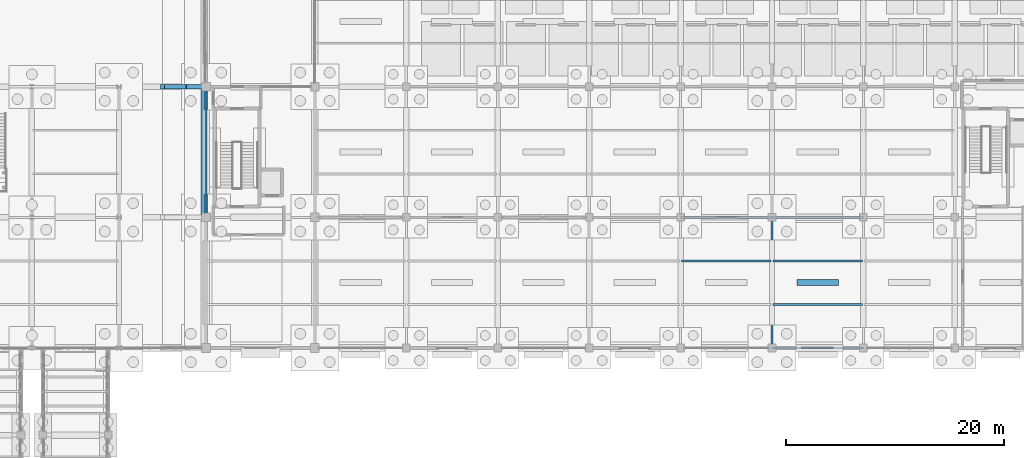
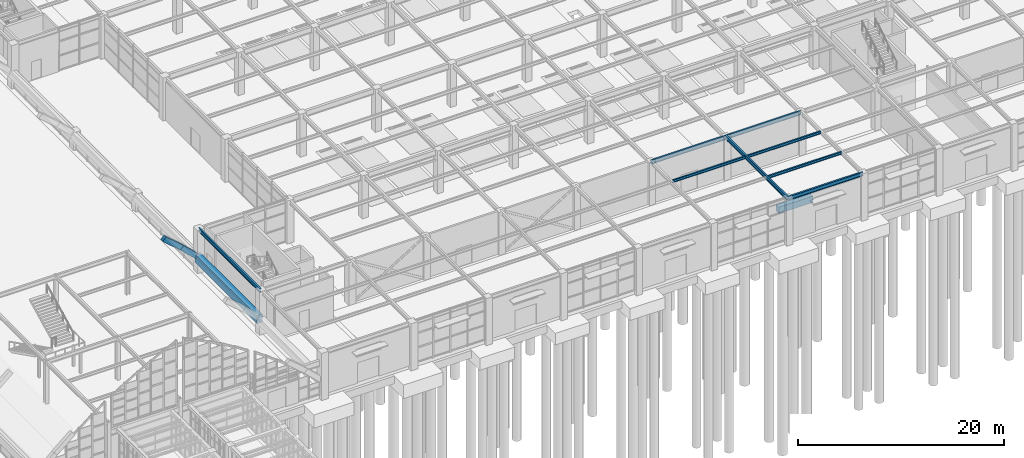
# One storey, part 48 of 129: 12 beams.
"""IFC4 building model written with IfcOpenShell, lengths in metres."""

import ifcopenshell
import ifcopenshell.guid

model = None  # the IFC model being written
_history = None  # IfcOwnerHistory: only IFC2X3 demands one
_inside = {}  # id of a spatial element -> (the spatial element, [elements in it])
_under = {}  # id of a project, library or spatial element -> (it, [spatial elements below it])
_declared = {}  # id of a project -> (the project, [libraries it declares])
_typed = {}  # id of a type object -> (the type object, [elements of that type])
_made_of = {}  # id of a material, layer set ... -> (it, [elements and type objects made of it])


def new_model(schema):
    """Start an empty IFC model of exactly this schema.

    Asked for "IFC4X3", IfcOpenShell would pick the latest addendum, in which some entities
    have other attributes; the version numbers below select the first issue.
    IFC2X3 requires an IfcOwnerHistory on every rooted entity: one is made here for all.
    """
    global model, _history
    if schema == "IFC4X3":
        model = ifcopenshell.file(schema_version=(4, 3, 0, 0))
    else:
        model = ifcopenshell.file(schema=schema)
    _inside.clear()
    _under.clear()
    _declared.clear()
    _typed.clear()
    _made_of.clear()
    _history = None
    if model.schema == "IFC2X3":
        org = make("IfcOrganization", Name="unknown")
        user = make(
            "IfcPersonAndOrganization",
            ThePerson=make("IfcPerson", FamilyName="unknown"),
            TheOrganization=org,
        )
        app = make(
            "IfcApplication",
            ApplicationDeveloper=org,
            Version="unknown",
            ApplicationFullName="unknown",
            ApplicationIdentifier="unknown",
        )
        _history = make(
            "IfcOwnerHistory",
            OwningUser=user,
            OwningApplication=app,
            ChangeAction="ADDED",
            CreationDate=0,
        )
    return model


def make(cls, **values):
    """One entity of the class cls with the attributes given. An attribute that is None is left unset."""
    return model.create_entity(
        cls, **{name: value for name, value in values.items() if value is not None}
    )


def rooted(cls, **values):
    """An entity with a GlobalId (a new one), such as an element, a storey or a relation."""
    return make(cls, GlobalId=ifcopenshell.guid.new(), OwnerHistory=_history, **values)


def si_unit(unit_type, name, prefix=None):
    """IfcSIUnit, for example si_unit("LENGTHUNIT", "METRE", prefix="MILLI")."""
    return make("IfcSIUnit", UnitType=unit_type, Prefix=prefix, Name=name)


def assignment(units):
    """IfcUnitAssignment: the units of a project."""
    return None if units is None else make("IfcUnitAssignment", Units=units)


def point(xyz):
    """IfcCartesianPoint."""
    return None if xyz is None else make("IfcCartesianPoint", Coordinates=xyz)


def direction(xyz):
    """IfcDirection."""
    return None if xyz is None else make("IfcDirection", DirectionRatios=xyz)


def frame(location, z_axis=None, x_axis=None):
    """IfcAxis2Placement3D, a coordinate frame: its origin and axes. An axis left out is left unset."""
    return make(
        "IfcAxis2Placement3D",
        Location=point(location),
        Axis=direction(z_axis),
        RefDirection=direction(x_axis),
    )


def frame_2d(location, x_axis=None):
    """IfcAxis2Placement2D, a coordinate frame in the plane: its origin and x axis."""
    return make(
        "IfcAxis2Placement2D", Location=point(location), RefDirection=direction(x_axis)
    )


def origin():
    """The frame at (0, 0, 0) with its axes left unset."""
    return frame((0.0, 0.0, 0.0))


def origin_2d():
    """The frame at (0, 0) in the plane with its x axis left unset."""
    return frame_2d((0.0, 0.0))


def place(relative_to, where):
    """IfcLocalPlacement: puts the frame where relative to a parent placement (None: the world)."""
    return make(
        "IfcLocalPlacement", PlacementRelTo=relative_to, RelativePlacement=where
    )


def context(
    kind, dimensions, precision=None, world=None, true_north=None, identifier=None
):
    """IfcGeometricRepresentationContext, for example the 3D "Model" context."""
    return make(
        "IfcGeometricRepresentationContext",
        ContextIdentifier=identifier,
        ContextType=kind,
        CoordinateSpaceDimension=dimensions,
        Precision=precision,
        WorldCoordinateSystem=world,
        TrueNorth=true_north,
    )


def subcontext(parent, identifier, kind, view, scale=None):
    """IfcGeometricRepresentationSubContext, for example "Body" below "Model"."""
    return make(
        "IfcGeometricRepresentationSubContext",
        ContextIdentifier=identifier,
        ContextType=kind,
        ParentContext=parent,
        TargetScale=scale,
        TargetView=view,
    )


def project(units=None, contexts=None):
    """IfcProject with its units and contexts."""
    return rooted(
        "IfcProject",
        Name="project",
        RepresentationContexts=contexts,
        UnitsInContext=assignment(units),
    )


def spatial(cls, under=None, at=None, **own):
    """A site, building, storey or space (cls), placed at a placement, below another one or the project."""
    s = rooted(cls, ObjectPlacement=at, **own)
    if under is not None:
        _under.setdefault(under.id(), (under, []))[1].append(s)
    return s


def profile(cls, at=None, kind="AREA", **sizes):
    """A parametric profile (cls). Its sizes go by their IFC names, for example OverallWidth=200.0."""
    return make(cls, ProfileType=kind, Position=at, **sizes)


def rectangle(**sizes):
    """IfcRectangleProfileDef."""
    return profile("IfcRectangleProfileDef", **sizes)


def i_section(**sizes):
    """IfcIShapeProfileDef."""
    return profile("IfcIShapeProfileDef", **sizes)


def extrude(swept, where, along, depth):
    """IfcExtrudedAreaSolid: the profile swept, set in the frame where, extruded along a direction by depth."""
    return make(
        "IfcExtrudedAreaSolid",
        SweptArea=swept,
        Position=where,
        ExtrudedDirection=direction(along),
        Depth=depth,
    )


def shape(context_of_items, identifier, shape_type, items):
    """IfcShapeRepresentation: the items that make up one representation, for example the "Body"."""
    return make(
        "IfcShapeRepresentation",
        ContextOfItems=context_of_items,
        RepresentationIdentifier=identifier,
        RepresentationType=shape_type,
        Items=items,
    )


def material(Name=None, Category=None):
    """IfcMaterial."""
    return make("IfcMaterial", Name=Name, Category=Category)


def material_profile(
    of_material, cross_section, Name=None, Category=None, Priority=None
):
    """IfcMaterialProfile: a cross section and its material."""
    return make(
        "IfcMaterialProfile",
        Name=Name,
        Material=of_material,
        Profile=cross_section,
        Priority=Priority,
        Category=Category,
    )


def profile_set(profiles, Name=None, composite=None):
    """IfcMaterialProfileSet."""
    return make(
        "IfcMaterialProfileSet",
        Name=Name,
        MaterialProfiles=profiles,
        CompositeProfile=composite,
    )


def made_of(thing, what):
    """Note that an element or type object is made of a material, layer set ...; save() writes the relation."""
    if what is not None:
        _made_of.setdefault(what.id(), (what, []))[1].append(thing)
    return thing


def type_object(cls, material=None, **own):
    """A type object (cls), such as IfcWallType, which elements share."""
    return made_of(rooted(cls, **own), material)


def element(
    cls,
    number,
    at=None,
    inside=None,
    cuts=None,
    type_object=None,
    material=None,
    context=None,
    identifier="Body",
    shape_type=None,
    held_by="IfcProductDefinitionShape",
    body=None,
    shapes=None,
    **own,
):
    """One element of the class cls, such as IfcWall. Its Tag is "e" and its number.

    at: its placement. inside: the storey or other place that contains it. cuts: it is an
    opening in that element (IfcRelVoidsElement). A single representation is given by context,
    identifier, shape_type and body (its items); several are given by shapes. held_by: the class
    of the entity that holds the representations. save() writes the other relations.
    """
    e = rooted(cls, Tag="e%d" % number, ObjectPlacement=at, **own)
    if body is not None:
        shapes = [shape(context, identifier, shape_type, body)]
    if shapes is not None:
        e.Representation = make(held_by, Representations=shapes)
    if inside is not None:
        _inside.setdefault(inside.id(), (inside, []))[1].append(e)
    if cuts is not None:
        rooted(
            "IfcRelVoidsElement", RelatingBuildingElement=cuts, RelatedOpeningElement=e
        )
    if type_object is not None:
        _typed.setdefault(type_object.id(), (type_object, []))[1].append(e)
    return made_of(e, material)


def aggregate(whole, parts):
    """IfcRelAggregates: a whole, such as a stair, and the parts it consists of."""
    return rooted("IfcRelAggregates", RelatingObject=whole, RelatedObjects=parts)


def save(model, path):
    """Write the relations noted so far, then the file.

    IfcRelAggregates (storeys below a building ...), IfcRelContainedInSpatialStructure (elements
    in a storey), IfcRelDefinesByType, IfcRelAssociatesMaterial and IfcRelDeclares: one each for
    every whole, place, type object, material and project.
    """
    for whole, parts in _under.values():
        aggregate(whole, parts)
    for where, things in _inside.values():
        rooted(
            "IfcRelContainedInSpatialStructure",
            RelatedElements=things,
            RelatingStructure=where,
        )
    for kind, things in _typed.values():
        rooted("IfcRelDefinesByType", RelatedObjects=things, RelatingType=kind)
    for what, things in _made_of.values():
        rooted("IfcRelAssociatesMaterial", RelatedObjects=things, RelatingMaterial=what)
    for by, libraries in _declared.values():
        rooted("IfcRelDeclares", RelatingContext=by, RelatedDefinitions=libraries)
    model.write(path)


model = new_model("IFC4")

# Units and contexts
model_context = context("Model", 3, precision=1e-05, world=origin(), true_north=direction((0.0, 1.0)))
body_context = subcontext(model_context, "Body", "Model", "MODEL_VIEW")
ifc_project = project(units=[si_unit("LENGTHUNIT", "METRE"), si_unit("AREAUNIT", "SQUARE_METRE"), si_unit("VOLUMEUNIT", "CUBIC_METRE"), si_unit("PLANEANGLEUNIT", "RADIAN"), si_unit("MASSUNIT", "GRAM", prefix="KILO")], contexts=[model_context])

# Site, building, storey
site_placement = place(None, origin())
site = spatial("IfcSite", under=ifc_project, at=site_placement, CompositionType="ELEMENT")
building_placement = place(site_placement, origin())
building = spatial("IfcBuilding", under=site, at=building_placement, Name="Sitalva Quay Ferry Terminal", CompositionType="ELEMENT")
storey_placement = place(building_placement, origin())
storey = spatial("IfcBuildingStorey", under=building, at=storey_placement, Name="L01", CompositionType="ELEMENT", Elevation=0.0)

# Beams
ifc_material_1 = material(Name="Concrete C40/50", Category="concrete")
ifc_material_profile_1 = material_profile(ifc_material_1, rectangle(XDim=0.39990234375, YDim=0.550048828125, at=origin_2d()), Name="RC400x550")
ifc_profile_set_1 = profile_set([ifc_material_profile_1], Name="Concrete C40/50")
beam_type_1 = type_object("IfcBeamType", Name="Beam_Arch_RC400x550", PredefinedType="BEAM", material=ifc_profile_set_1)
beam_1_placement = place(storey_placement, frame((70.0, 30.0, 5.219482421875), z_axis=(0.760297282494, 0.0, -0.649575278342), x_axis=(0.0, 1.0, 0.0)))
element("IfcBeam", 1, at=beam_1_placement, inside=storey, type_object=beam_type_1, Name="Vault V1 transverse arch rib 3.15", PredefinedType="BEAM", context=body_context, shape_type="SweptSolid", body=[
    extrude(rectangle(XDim=0.39990234375, YDim=0.550048828125, at=origin_2d()), origin(), (0.0, 0.0, 1.0), 2.630615234375),
])
beam_2_placement = place(storey_placement, frame((72.0, 30.0, 3.500732421875), z_axis=(0.725680279623, 0.0, -0.688032071757), x_axis=(0.0, 1.0, 0.0)))
element("IfcBeam", 2, at=beam_2_placement, inside=storey, type_object=beam_type_1, Name="Vault V1 transverse arch rib 3.16", PredefinedType="BEAM", context=body_context, shape_type="SweptSolid", body=[
    extrude(rectangle(XDim=0.39990234375, YDim=0.550048828125, at=origin_2d()), origin(), (0.0, 0.0, 1.0), 2.756103515625),
])
ifc_material_2 = material(Name="Concrete C40/50", Category="concrete")
ifc_material_profile_2 = material_profile(ifc_material_2, rectangle(XDim=0.60009765625, YDim=0.949951171875, at=origin_2d()), Name="RC600x950")
ifc_profile_set_2 = profile_set([ifc_material_profile_2], Name="Concrete C40/50")
beam_type_2 = type_object("IfcBeamType", Name="Beam_Edge_RC600x950", PredefinedType="BEAM", material=ifc_profile_set_2)
beam_3_placement = place(storey_placement, frame((73.85009765625, 18.0, 1.625), z_axis=(0.0, 1.0, 0.0), x_axis=(-1.0, 0.0, 0.0)))
element("IfcBeam", 3, at=beam_3_placement, inside=storey, type_object=beam_type_2, Name="Vault V1 longitudinal springing edge beam E bay 2", PredefinedType="BEAM", context=body_context, shape_type="SweptSolid", body=[
    extrude(rectangle(XDim=0.60009765625, YDim=0.949951171875, at=origin_2d()), origin(), (0.0, 0.0, 1.0), 12.0),
])
ifc_material_3 = material(Name="Structural Steel S355JR", Category="steel")
ifc_material_profile_3 = material_profile(ifc_material_3, i_section(OverallWidth=0.19091796875, OverallDepth=0.4599609375, WebThickness=0.010009765625, FlangeThickness=0.01611328125, FilletRadius=0.013916015625, at=origin_2d()), Name="W460x82")
ifc_profile_set_3 = profile_set([ifc_material_profile_3], Name="Structural Steel S355JR")
beam_type_3 = type_object("IfcBeamType", Name="Beam_W460x82", PredefinedType="BEAM", material=ifc_profile_set_3)
beam_4_placement = place(storey_placement, frame((74.0, 18.0, 4.889892578125), z_axis=(0.0, 1.0, 0.0), x_axis=(-1.0, 0.0, 0.0)))
element("IfcBeam", 4, at=beam_4_placement, inside=storey, type_object=beam_type_3, Name="L01 Primary Y girder 0177", PredefinedType="BEAM", context=body_context, shape_type="SweptSolid", body=[
    extrude(i_section(OverallWidth=0.19091796875, OverallDepth=0.4599609375, WebThickness=0.010009765625, FlangeThickness=0.01611328125, FilletRadius=0.013916015625, at=origin_2d()), origin(), (0.0, 0.0, 1.0), 12.0),
])
for number, where, z_axis, x_axis, name in (
    (5, (126.0, 6.0, 4.889892578125), (1.0, 0.0, 0.0), (0.0, 1.0, 0.0), "L01 Primary X girder 0192"),
    (6, (117.60009765625, 18.0, 4.85009765625), (1.0, 0.0, 0.0), (0.0, 1.0, 0.0), "L01 Primary X girder 0201"),
    (7, (126.0, 18.0, 4.85009765625), (1.0, 0.0, 0.0), (0.0, 1.0, 0.0), "L01 Primary X girder 0202"),
):
    element("IfcBeam", number, at=place(storey_placement, frame(where, z_axis=z_axis, x_axis=x_axis)), inside=storey, type_object=beam_type_3, Name=name, PredefinedType="BEAM", context=body_context, shape_type="SweptSolid", body=[
        extrude(i_section(OverallWidth=0.19091796875, OverallDepth=0.4599609375, WebThickness=0.010009765625, FlangeThickness=0.01611328125, FilletRadius=0.013916015625, at=origin_2d()), origin(), (0.0, 0.0, 1.0), 8.39990234375),
    ])
beam_5_placement = place(storey_placement, frame((126.0, 6.0, 4.889892578125), z_axis=(0.0, 1.0, 0.0), x_axis=(-1.0, 0.0, 0.0)))
element("IfcBeam", 8, at=beam_5_placement, inside=storey, type_object=beam_type_3, Name="L01 Primary Y girder 0211", PredefinedType="BEAM", context=body_context, shape_type="SweptSolid", body=[
    extrude(i_section(OverallWidth=0.19091796875, OverallDepth=0.4599609375, WebThickness=0.010009765625, FlangeThickness=0.01611328125, FilletRadius=0.013916015625, at=origin_2d()), origin(), (0.0, 0.0, 1.0), 12.0),
])
ifc_material_4 = material(Name="Structural Steel S355JR", Category="steel")
ifc_material_profile_4 = material_profile(ifc_material_4, i_section(OverallWidth=0.166015625, OverallDepth=0.31298828125, WebThickness=0.006591796875, FlangeThickness=0.01123046875, FilletRadius=0.010986328125, at=origin_2d()), Name="W310x45")
ifc_profile_set_4 = profile_set([ifc_material_profile_4], Name="Structural Steel S355JR")
beam_type_4 = type_object("IfcBeamType", Name="Joist_W310x45", PredefinedType="JOIST", material=ifc_profile_set_4)
for number, where, z_axis, x_axis, name in (
    (9, (126.095458984375, 10.0, 4.96337890625), (1.0, 0.0, 0.0), (0.0, 1.0, 0.0), "L01 Secondary joist 0222"),
    (10, (117.695556640625, 14.0, 4.96337890625), (1.0, 0.0, 0.0), (0.0, 1.0, 0.0), "L01 Secondary joist 0231"),
    (11, (126.095458984375, 14.0, 4.96337890625), (1.0, 0.0, 0.0), (0.0, 1.0, 0.0), "L01 Secondary joist 0232"),
):
    element("IfcBeam", number, at=place(storey_placement, frame(where, z_axis=z_axis, x_axis=x_axis)), inside=storey, type_object=beam_type_4, Name=name, PredefinedType="JOIST", context=body_context, shape_type="SweptSolid", body=[
        extrude(i_section(OverallWidth=0.166015625, OverallDepth=0.31298828125, WebThickness=0.006591796875, FlangeThickness=0.01123046875, FilletRadius=0.010986328125, at=origin_2d()), origin(), (0.0, 0.0, 1.0), 8.208984375),
    ])
ifc_material_5 = material(Name="Concrete C35/45", Category="concrete")
ifc_material_profile_5 = material_profile(ifc_material_5, rectangle(XDim=0.550048828125, YDim=0.75, at=origin_2d()), Name="RC550x750")
ifc_profile_set_5 = profile_set([ifc_material_profile_5], Name="Concrete C35/45")
beam_type_5 = type_object("IfcBeamType", Name="TBeam_Quay_RC550x750", PredefinedType="T_BEAM", material=ifc_profile_set_5)
beam_6_placement = place(storey_placement, frame((128.300048828125, 12.0, -0.824951171875), z_axis=(1.0, 0.0, 0.0), x_axis=(0.0, 1.0, 0.0)))
element("IfcBeam", 12, at=beam_6_placement, inside=storey, type_object=beam_type_5, Name="L01 Ro-Ro quay deck T-beam 0043", PredefinedType="T_BEAM", context=body_context, shape_type="SweptSolid", body=[
    extrude(rectangle(XDim=0.550048828125, YDim=0.75, at=origin_2d()), origin(), (0.0, 0.0, 1.0), 3.800048828125),
])

save(model, "model.ifc")
